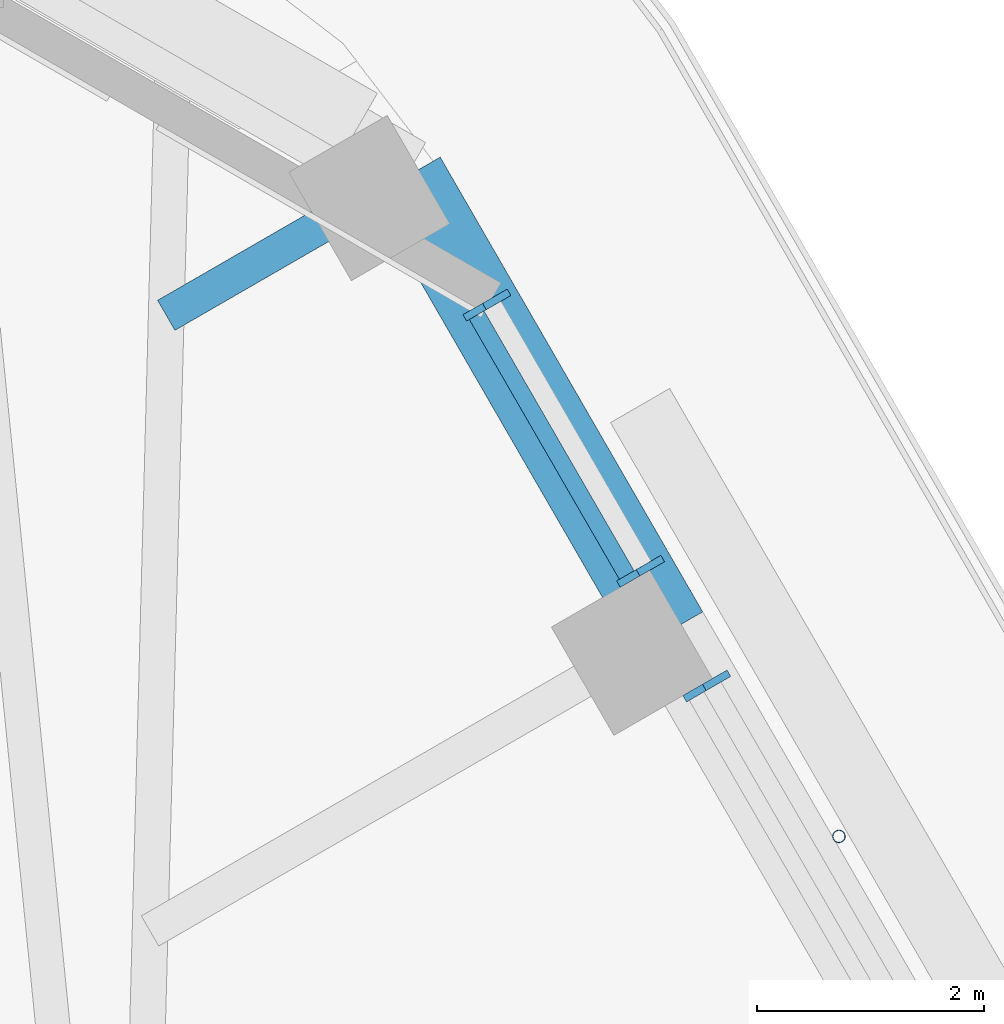
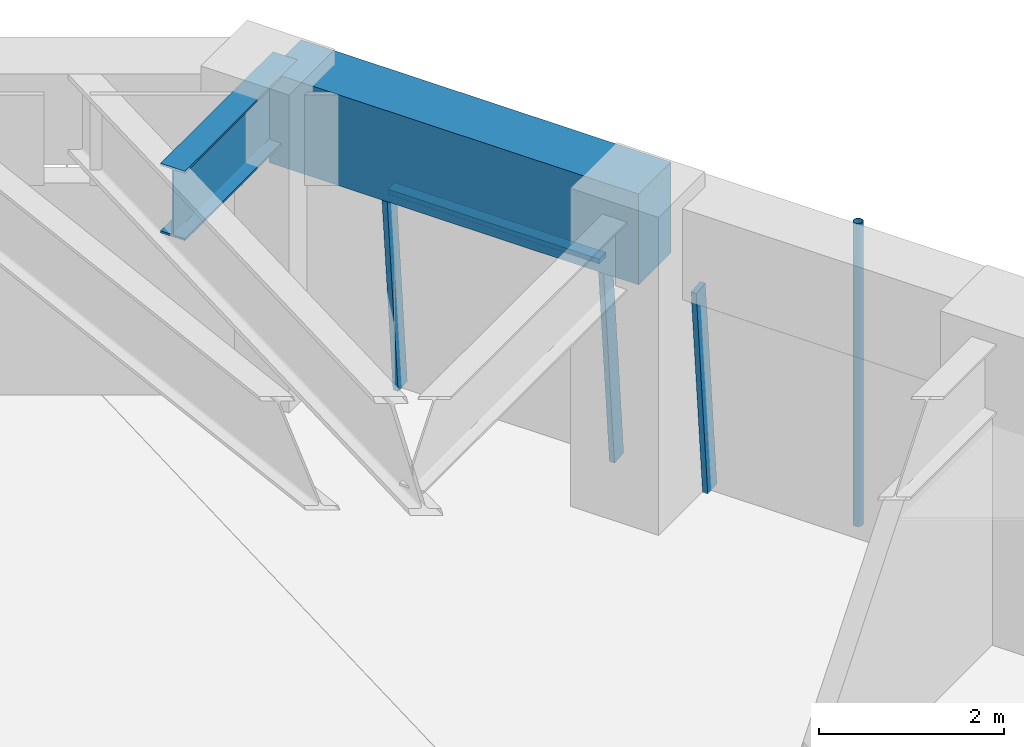
# One storey, part 12 of 20: 5 members, 2 beams, 2 elements without a shape of their own.
"""IFC4 building model written with IfcOpenShell, lengths in metres."""

from ifc_helpers import new_model, si_unit, direction, frame, origin, origin_2d, place, context, subcontext, project, spatial, rectangle, hollow_circle, i_section, extrude, material, material_profile, profile_set, type_object, element, aggregate, save


model = new_model("IFC4")

# Units and contexts
model_context = context("Model", 3, precision=1e-05, world=origin(), true_north=direction((0.0, 1.0)))
body_context = subcontext(model_context, "Body", "Model", "MODEL_VIEW")
ifc_project = project(units=[si_unit("LENGTHUNIT", "METRE"), si_unit("AREAUNIT", "SQUARE_METRE"), si_unit("VOLUMEUNIT", "CUBIC_METRE"), si_unit("PLANEANGLEUNIT", "RADIAN"), si_unit("MASSUNIT", "GRAM", prefix="KILO")], contexts=[model_context])

# Site, building, storey
site_placement = place(None, origin())
site = spatial("IfcSite", under=ifc_project, at=site_placement, CompositionType="ELEMENT")
building_placement = place(site_placement, origin())
building = spatial("IfcBuilding", under=site, at=building_placement, Name="Tarfa Lantern Tower", CompositionType="ELEMENT")
storey_placement = place(building_placement, frame((0.0, 0.0, 286.89990234375)))
storey = spatial("IfcBuildingStorey", under=building, at=storey_placement, Name="L65", CompositionType="ELEMENT", Elevation=286.89990234375)

# Curtain wall, member
ifc_material_1 = material(Name="Aluminium framed curtain wall", Category="aluminium")
curtain_wall_type = type_object("IfcCurtainWallType", Name="CW3 CANTED GLAZING HIGH ZONE 2800", PredefinedType="USERDEFINED", material=ifc_material_1)
curtain_wall_1_placement = place(storey_placement, origin())
curtain_wall_1 = element("IfcCurtainWall", 1, at=curtain_wall_1_placement, inside=storey, type_object=curtain_wall_type, Name="CW3 NE L65", ObjectType="CURTAIN WALL", PredefinedType="USERDEFINED")
ifc_material_2 = material(Name="Aluminium mullion", Category="aluminium")
ifc_material_profile_1 = material_profile(ifc_material_2, rectangle(XDim=0.06494140625, YDim=0.199951171875, at=origin_2d()), Name="AL MULLION 65x200")
ifc_profile_set_1 = profile_set([ifc_material_profile_1], Name="Aluminium mullion")
member_type_1 = type_object("IfcMemberType", Name="CWM1 MULLION 65x200", PredefinedType="MULLION", material=ifc_profile_set_1)
member_1_placement = place(storey_placement, frame((20.70068359375, 21.945556640625, 0.0), z_axis=(-0.077032386753, -0.044465143199, 0.996036576854), x_axis=(0.499919672301, -0.866071776036, 0.0)))
member_1 = element("IfcMember", 2, at=member_1_placement, type_object=member_type_1, Name="CW3 mullion 2", PredefinedType="MULLION", context=body_context, shape_type="SweptSolid", body=[
    extrude(rectangle(XDim=0.06494140625, YDim=0.199951171875, at=origin_2d()), origin(), (0.0, 0.0, 1.0), 2.811279296875),
])
aggregate(curtain_wall_1, [member_1])

# Curtain wall, members
curtain_wall_2_placement = place(storey_placement, origin())
curtain_wall_2 = element("IfcCurtainWall", 3, at=curtain_wall_2_placement, inside=storey, type_object=curtain_wall_type, Name="CW3 NE L65", ObjectType="CURTAIN WALL", PredefinedType="USERDEFINED")
member_2_placement = place(storey_placement, frame((20.1181640625, 22.954345703125, 0.0), z_axis=(-0.077032386753, -0.044465143199, 0.996036576854), x_axis=(0.499919672301, -0.866071776036, 0.0)))
member_2 = element("IfcMember", 4, at=member_2_placement, type_object=member_type_1, Name="CW3 mullion 1", PredefinedType="MULLION", context=body_context, shape_type="SweptSolid", body=[
    extrude(rectangle(XDim=0.06494140625, YDim=0.199951171875, at=origin_2d()), origin(), (0.0, 0.0, 1.0), 2.811279296875),
])
member_3_placement = place(storey_placement, frame((18.76611328125, 25.296142578125, 0.0), z_axis=(-0.077032386753, -0.044465143199, 0.996036576854), x_axis=(0.499919672301, -0.866071776036, 0.0)))
member_3 = element("IfcMember", 5, at=member_3_placement, type_object=member_type_1, Name="CW3 mullion 2", PredefinedType="MULLION", context=body_context, shape_type="SweptSolid", body=[
    extrude(rectangle(XDim=0.06494140625, YDim=0.199951171875, at=origin_2d()), origin(), (0.0, 0.0, 1.0), 2.811279296875),
])
ifc_material_3 = material(Name="Aluminium transom", Category="aluminium")
ifc_material_profile_2 = material_profile(ifc_material_3, rectangle(XDim=0.14990234375, YDim=0.06494140625, at=origin_2d()), Name="AL TRANSOM 150x65")
ifc_profile_set_2 = profile_set([ifc_material_profile_2], Name="Aluminium transom")
member_type_2 = type_object("IfcMemberType", Name="CWT1 TRANSOM 150x65", PredefinedType="USERDEFINED", material=ifc_profile_set_2)
member_4_placement = place(storey_placement, frame((19.887939453125, 22.859130859375, 2.767578125), z_axis=(-0.50006949096, 0.865985279442, 0.0), x_axis=(-0.865985279442, -0.50006949096, 0.0)))
member_4 = element("IfcMember", 6, at=member_4_placement, type_object=member_type_2, Name="CW3 transom 1.2", ObjectType="TRANSOM", PredefinedType="USERDEFINED", context=body_context, shape_type="SweptSolid", body=[
    extrude(rectangle(XDim=0.14990234375, YDim=0.06494140625, at=origin_2d()), origin(), (0.0, 0.0, 1.0), 2.638671875),
])
aggregate(curtain_wall_2, [member_2, member_3, member_4])

# Beam
ifc_material_4 = material(Name="Concrete C80/95", Category="concrete")
ifc_material_profile_3 = material_profile(ifc_material_4, rectangle(XDim=0.699951171875, YDim=1.199951171875, at=origin_2d()), Name="RC 700x1200")
ifc_profile_set_3 = profile_set([ifc_material_profile_3], Name="Concrete C80/95")
beam_type_1 = type_object("IfcBeamType", Name="EB3 RC 700x1200", PredefinedType="SPANDREL", material=ifc_profile_set_3)
beam_1_placement = place(storey_placement, frame((20.25341796875, 22.360107421875, 3.400146484375), z_axis=(-0.499987836815, 0.866032426089, 0.0), x_axis=(-0.866032426089, -0.499987836815, 0.0)))
element("IfcBeam", 7, at=beam_1_placement, inside=storey, type_object=beam_type_1, Name="Edge beam NE5", PredefinedType="SPANDREL", context=body_context, shape_type="SweptSolid", body=[
    extrude(rectangle(XDim=0.699951171875, YDim=1.199951171875, at=origin_2d()), origin(), (0.0, 0.0, 1.0), 4.61865234375),
])

# Member
ifc_material_5 = material(Name="Steel S355", Category="steel")
ifc_material_profile_4 = material_profile(ifc_material_5, hollow_circle(Radius=0.05712890625, WallThickness=0.00634765625, at=origin_2d()), Name="CHS114.3x6.3")
ifc_profile_set_4 = profile_set([ifc_material_profile_4], Name="Steel S355")
member_type_3 = type_object("IfcMemberType", Name="TR1 GREEN WALL TRELLIS CHS114.3x6.3", PredefinedType="USERDEFINED", material=ifc_profile_set_4)
member_5_placement = place(storey_placement, frame((21.754638671875, 20.56005859375, 0.0), z_axis=(0.0, 0.0, 1.0), x_axis=(1.0, 0.0, 0.0)))
element("IfcMember", 8, at=member_5_placement, inside=storey, type_object=member_type_3, Name="Trellis post NE 2", ObjectType="TRELLIS", PredefinedType="USERDEFINED", context=body_context, shape_type="SweptSolid", body=[
    extrude(hollow_circle(Radius=0.05712890625, WallThickness=0.00634765625, at=origin_2d()), origin(), (0.0, 0.0, 1.0), 4.0),
])

# Beam
ifc_material_6 = material(Name="Steel S460M", Category="steel")
ifc_material_profile_5 = material_profile(ifc_material_6, i_section(OverallWidth=0.305419921875, OverallDepth=0.91845703125, WebThickness=0.017333984375, FlangeThickness=0.02783203125, FilletRadius=0.01904296875, at=origin_2d()), Name="UB914x305x253")
ifc_profile_set_5 = profile_set([ifc_material_profile_5], Name="Steel S460M")
beam_type_2 = type_object("IfcBeamType", Name="UB914x305x253", PredefinedType="BEAM", material=ifc_profile_set_5)
beam_2_placement = place(storey_placement, frame((17.944091796875, 26.360107421875, 3.541015625), z_axis=(-0.865980009423, -0.5000786171, 0.0), x_axis=(0.5000786171, -0.865980009423, 0.0)))
element("IfcBeam", 9, at=beam_2_placement, inside=storey, type_object=beam_type_2, Name="Floor beam NE6", PredefinedType="BEAM", context=body_context, shape_type="SweptSolid", body=[
    extrude(i_section(OverallWidth=0.305419921875, OverallDepth=0.91845703125, WebThickness=0.017333984375, FlangeThickness=0.02783203125, FilletRadius=0.01904296875, at=origin_2d()), origin(), (0.0, 0.0, 1.0), 2.4326171875),
])

save(model, "model.ifc")
